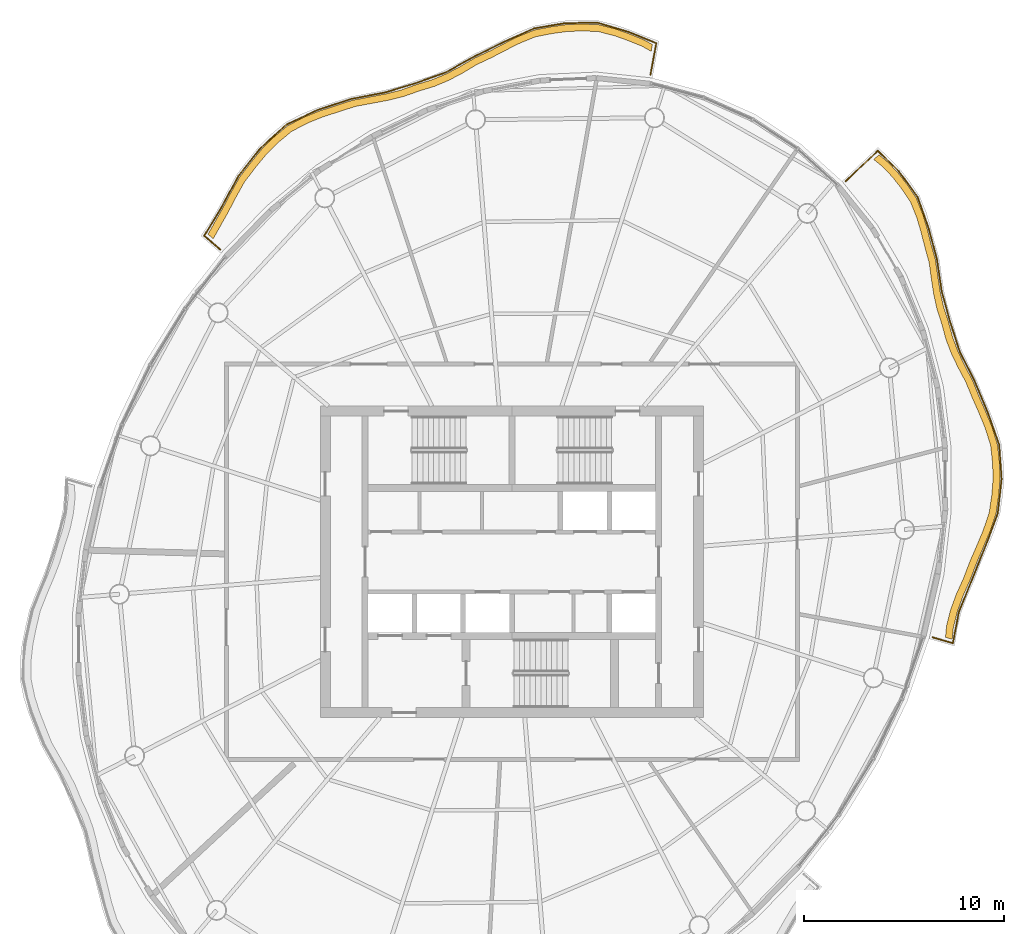
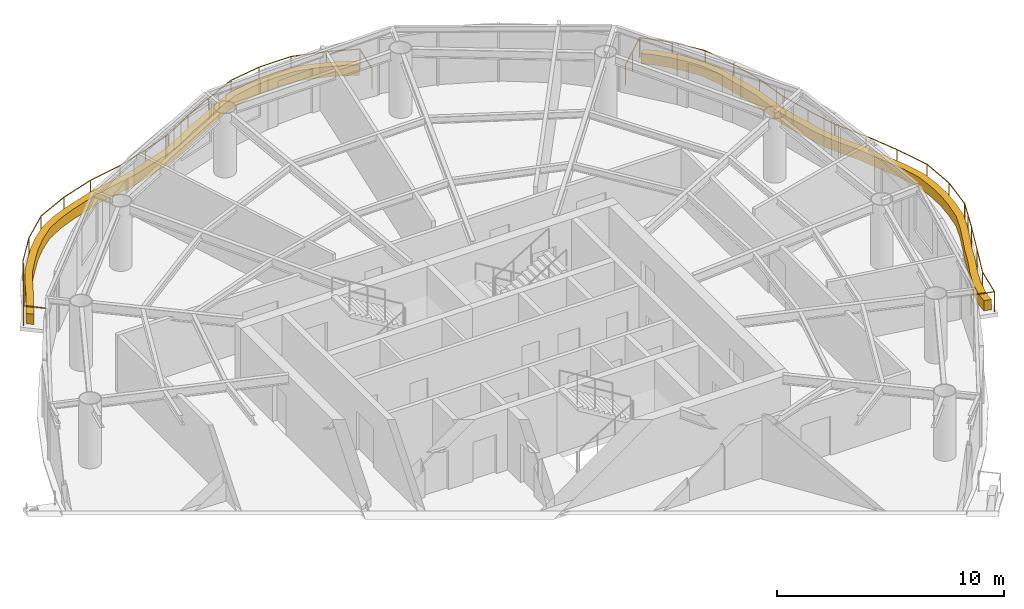
# One storey, part 13 of 13: 2 coverings, 2 railings.
"""IFC4 building model written with IfcOpenShell, lengths in metres."""

from ifc_helpers import new_model, si_unit, direction, frame, origin, origin_2d, place, context, subcontext, project, spatial, polyline, circle, outline, extrude, material, type_object, element, save


model = new_model("IFC4")

# Units and contexts
model_context = context("Model", 3, precision=1e-05, world=origin(), true_north=direction((0.0, 1.0)))
body_context = subcontext(model_context, "Body", "Model", "MODEL_VIEW")
ifc_project = project(units=[si_unit("LENGTHUNIT", "METRE"), si_unit("AREAUNIT", "SQUARE_METRE"), si_unit("VOLUMEUNIT", "CUBIC_METRE"), si_unit("PLANEANGLEUNIT", "RADIAN"), si_unit("MASSUNIT", "GRAM", prefix="KILO")], contexts=[model_context])

# Site, building, storey
site_placement = place(None, origin())
site = spatial("IfcSite", under=ifc_project, at=site_placement, CompositionType="ELEMENT")
building_placement = place(site_placement, origin())
building = spatial("IfcBuilding", under=site, at=building_placement, Name="Vermilion Reach Broadcast Tower", CompositionType="ELEMENT")
storey_placement = place(building_placement, frame((0.0, 0.0, 279.300048828125)))
storey = spatial("IfcBuildingStorey", under=building, at=storey_placement, Name="L69", CompositionType="ELEMENT", Elevation=279.300048828125)

# Coverings
ifc_material_1 = material(Name="Planting soil and greenery")
covering_type = type_object("IfcCoveringType", Name="Balcony PLANTER", PredefinedType="USERDEFINED", material=ifc_material_1)
placement = place(storey_placement, origin())
element("IfcCovering", 1, at=placement, inside=storey, type_object=covering_type, Name="PLANTER L69 group 1", ObjectType="PLANTER", PredefinedType="USERDEFINED", context=body_context, shape_type="SweptSolid", body=[
    extrude(outline(polyline([(1.0380859375, 25.91943359375), (0.532958984375, 26.186767578125), (-0.142822265625, 26.46044921875), (-0.822021484375, 26.703125), (-1.682373046875, 26.91845703125), (-2.577880859375, 26.944580078125), (-3.29296875, 26.912109375), (-4.005126953125, 26.812744140625), (-4.87451171875, 26.646728515625), (-5.719482421875, 26.30322265625), (-6.401123046875, 25.958251953125), (-7.0810546875, 25.603759765625), (-7.857666015625, 25.244140625), (-8.6064453125, 24.8046875), (-9.281494140625, 24.447998046875), (-9.978271484375, 24.156494140625), (-10.763916015625, 23.91455078125), (-11.5625, 23.633056640625), (-12.327880859375, 23.44140625), (-13.114013671875, 23.29296875), (-14.00830078125, 23.1201171875), (-14.89208984375, 22.832275390625), (-15.669189453125, 22.578125), (-16.417236328125, 22.278564453125), (-17.246826171875, 21.841796875), (-17.9794921875, 21.237060546875), (-18.54833984375, 20.65771484375), (-19.0703125, 20.021484375), (-19.64404296875, 19.2724609375), (-20.11572265625, 18.431640625), (-20.51123046875, 17.6728515625), (-20.930908203125, 16.93701171875), (-21.22802734375, 16.414306640625), (-20.963623046875, 16.184814453125), (-20.679443359375, 16.693359375), (-20.260009765625, 17.42919921875), (-19.8642578125, 18.18798828125), (-19.406982421875, 19.01513671875), (-18.847900390625, 19.751220703125), (-18.325927734375, 20.387451171875), (-17.757080078125, 20.966796875), (-17.04052734375, 21.55908203125), (-16.22802734375, 21.984375), (-15.47998046875, 22.28369140625), (-14.70263671875, 22.537841796875), (-13.83740234375, 22.814697265625), (-12.962158203125, 22.977783203125), (-12.17578125, 23.126220703125), (-11.410400390625, 23.31787109375), (-10.632568359375, 23.590087890625), (-9.867919921875, 23.824462890625), (-9.171142578125, 24.115966796875), (-8.495849609375, 24.472412109375), (-7.77001953125, 24.9052734375), (-7.0166015625, 25.259765625), (-6.336669921875, 25.6142578125), (-5.65478515625, 25.959228515625), (-4.834716796875, 26.299072265625), (-3.989990234375, 26.462890625), (-3.27783203125, 26.562255859375), (-2.5625, 26.594970703125), (-1.693359375, 26.568603515625), (-0.85888671875, 26.35498046875), (-0.1796875, 26.1123046875), (0.49609375, 25.8388671875), (0.974365234375, 25.575439453125), (1.0380859375, 25.91943359375)])), origin(), (0.0, 0.0, 1.0), 0.550048828125),
])
element("IfcCovering", 2, at=placement, inside=storey, type_object=covering_type, Name="PLANTER L69 group 4", ObjectType="PLANTER", PredefinedType="USERDEFINED", context=body_context, shape_type="SweptSolid", body=[
    extrude(outline(polyline([(16.055419921875, -3.878662109375), (16.113525390625, -3.29443359375), (16.3115234375, -2.498046875), (16.59326171875, -1.721435546875), (16.964599609375, -0.887451171875), (17.284912109375, -0.035400390625), (17.61962890625, 0.73876953125), (17.947509765625, 1.513671875), (18.254638671875, 2.42333984375), (18.389892578125, 3.34619140625), (18.451171875, 4.137451171875), (18.43017578125, 4.9287109375), (18.3291015625, 5.862060546875), (18.053466796875, 6.749755859375), (17.74951171875, 7.490478515625), (17.42236328125, 8.22802734375), (17.086669921875, 9.0615234375), (16.683349609375, 9.83447265625), (16.3515625, 10.526611328125), (16.081787109375, 11.234619140625), (15.86572265625, 12.030517578125), (15.6171875, 12.798828125), (15.455810546875, 13.525634765625), (15.34228515625, 14.271728515625), (15.21630859375, 15.138671875), (14.982666015625, 15.96630859375), (14.7998046875, 16.68896484375), (14.591552734375, 17.39697265625), (14.25390625, 18.233642578125), (13.75732421875, 18.960693359375), (13.322509765625, 19.510498046875), (12.83740234375, 20.019775390625), (12.384765625, 20.395751953125), (12.13037109375, 20.1552734375), (12.565185546875, 19.7998046875), (13.05029296875, 19.29052734375), (13.485107421875, 18.74072265625), (13.966064453125, 18.034423828125), (14.289794921875, 17.2197265625), (14.498046875, 16.511962890625), (14.6806640625, 15.7890625), (14.902587890625, 14.9833984375), (15.018310546875, 14.139404296875), (15.132080078125, 13.39306640625), (15.293212890625, 12.666259765625), (15.533447265625, 11.920166015625), (15.742919921875, 11.14697265625), (16.0126953125, 10.43896484375), (16.344482421875, 9.746826171875), (16.74267578125, 8.995849609375), (17.074951171875, 8.1845703125), (17.402099609375, 7.44677734375), (17.706298828125, 6.706298828125), (17.97998046875, 5.83984375), (18.080078125, 4.927734375), (18.10107421875, 4.13671875), (18.0400390625, 3.345458984375), (17.9052734375, 2.44287109375), (17.599853515625, 1.5537109375), (17.27197265625, 0.778564453125), (16.937255859375, 0.00439453125), (16.61962890625, -0.828125), (16.25244140625, -1.642578125), (15.970458984375, -2.41943359375), (15.7724609375, -3.215576171875), (15.71923828125, -3.78125), (16.055419921875, -3.878662109375)])), origin(), (0.0, 0.0, 1.0), 0.550048828125),
])

# Railings
ifc_material_2 = material(Name="Stainless steel 316 balustrade", Category="steel")
railing_type = type_object("IfcRailingType", Name="Balcony guard 1100", PredefinedType="BALUSTRADE", material=ifc_material_2)
railing_1_placement = place(storey_placement, frame((0.939208984375, 24.39990234375, 0.0)))
element("IfcRailing", 3, at=railing_1_placement, inside=storey, type_object=railing_type, Name="Balcony guard L69 group 1", PredefinedType="BALUSTRADE", context=body_context, shape_type="SweptSolid", body=[
    extrude(circle(Radius=0.02490234375, at=origin_2d()), frame((0.0, 0.0, 1.0751953125), z_axis=(0.182094703112, 0.983280997019, 0.0), x_axis=(-0.983280997019, 0.182094703112, 0.0)), (0.0, 0.0, 1.0), 1.606201171875),
    extrude(circle(Radius=0.02490234375, at=origin_2d()), frame((0.29248046875, 1.579345703125, 1.0751953125), z_axis=(-0.925132883057, 0.379643449419, 0.0), x_axis=(-0.379643449419, -0.925132883057, 0.0)), (0.0, 0.0, 1.0), 1.4765625),
    extrude(circle(Radius=0.02490234375, at=origin_2d()), frame((-1.073486328125, 2.139892578125, 1.0751953125), z_axis=(-0.958668165618, 0.284526533438, 0.0), x_axis=(-0.284526533438, -0.958668165618, 0.0)), (0.0, 0.0, 1.0), 1.6123046875),
    extrude(circle(Radius=0.02490234375, at=origin_2d()), frame((-2.619140625, 2.5986328125, 1.0751953125), z_axis=(-0.999991685331, -0.00407789994, 0.0), x_axis=(0.00407789994, -0.999991685331, 0.0)), (0.0, 0.0, 1.0), 1.616455078125),
    extrude(circle(Radius=0.02490234375, at=origin_2d()), frame((-4.235595703125, 2.592041015625, 1.0751953125), z_axis=(-0.986262421876, -0.165186062354, 0.0), x_axis=(0.165186062354, -0.986262421876, 0.0)), (0.0, 0.0, 1.0), 1.609619140625),
    extrude(circle(Radius=0.02490234375, at=origin_2d()), frame((-5.822998046875, 2.326171875, 1.0751953125), z_axis=(-0.911986748717, -0.410219660871, 0.0), x_axis=(0.410219660871, -0.911986748717, 0.0)), (0.0, 0.0, 1.0), 1.68017578125),
    extrude(circle(Radius=0.02490234375, at=origin_2d()), frame((-7.355224609375, 1.636962890625, 1.0751953125), z_axis=(-0.898205379392, -0.439576041694, 0.0), x_axis=(0.439576041694, -0.898205379392, 0.0)), (0.0, 0.0, 1.0), 1.62744140625),
    extrude(circle(Radius=0.02490234375, at=origin_2d()), frame((-8.81689453125, 0.921630859375, 1.0751953125), z_axis=(-0.873184413389, -0.487389967289, 0.0), x_axis=(0.487389967289, -0.873184413389, 0.0)), (0.0, 0.0, 1.0), 1.636474609375),
    extrude(circle(Radius=0.02490234375, at=origin_2d()), frame((-10.245849609375, 0.1240234375, 1.0751953125), z_axis=(-0.940942530809, -0.338566321, 0.0), x_axis=(0.338566321, -0.940942530809, 0.0)), (0.0, 0.0, 1.0), 1.58056640625),
    extrude(circle(Radius=0.02490234375, at=origin_2d()), frame((-11.733154296875, -0.4111328125, 1.0751953125), z_axis=(-0.957023151666, -0.290011529384, 0.0), x_axis=(0.290011529384, -0.957023151666, 0.0)), (0.0, 0.0, 1.0), 1.63916015625),
    extrude(circle(Radius=0.02490234375, at=origin_2d()), frame((-13.3017578125, -0.886474609375, 1.0751953125), z_axis=(-0.982062230733, -0.188557086759, 0.0), x_axis=(0.188557086759, -0.982062230733, 0.0)), (0.0, 0.0, 1.0), 1.715576171875),
    extrude(circle(Radius=0.02490234375, at=origin_2d()), frame((-14.986572265625, -1.2099609375, 1.0751953125), z_axis=(-0.950438317141, -0.310913179698, 0.0), x_axis=(0.310913179698, -0.950438317141, 0.0)), (0.0, 0.0, 1.0), 1.751953125),
    extrude(circle(Radius=0.02490234375, at=origin_2d()), frame((-16.651611328125, -1.754638671875, 1.0751953125), z_axis=(-0.906025860263, -0.42322232991, 0.0), x_axis=(0.42322232991, -0.906025860263, 0.0)), (0.0, 0.0, 1.0), 1.74560546875),
    extrude(circle(Radius=0.02490234375, at=origin_2d()), frame((-18.233154296875, -2.493408203125, 1.0751953125), z_axis=(-0.739871184055, -0.672748564476, 0.0), x_axis=(0.672748564476, -0.739871184055, 0.0)), (0.0, 0.0, 1.0), 1.76416015625),
    extrude(circle(Radius=0.02490234375, at=origin_2d()), frame((-19.538330078125, -3.68017578125, 1.0751953125), z_axis=(-0.620685287586, -0.784059802422, 0.0), x_axis=(0.784059802422, -0.620685287586, 0.0)), (0.0, 0.0, 1.0), 1.770751953125),
    extrude(circle(Radius=0.02490234375, at=origin_2d()), frame((-20.637451171875, -5.068603515625, 1.0751953125), z_axis=(-0.477313385833, -0.878733140211, 0.0), x_axis=(0.878733140211, -0.477313385833, 0.0)), (0.0, 0.0, 1.0), 1.823974609375),
    extrude(circle(Radius=0.02490234375, at=origin_2d()), frame((-21.508056640625, -6.67138671875, 1.0751953125), z_axis=(-0.51903293628, -0.854754240151, 0.0), x_axis=(0.854754240151, -0.51903293628, 0.0)), (0.0, 0.0, 1.0), 1.62744140625),
    extrude(circle(Radius=0.02490234375, at=origin_2d()), frame((-22.352783203125, -8.0625, 1.0751953125), z_axis=(0.755072188956, -0.655641662393, 0.0), x_axis=(0.655641662393, 0.755072188956, 0.0)), (0.0, 0.0, 1.0), 1.058349609375),
    extrude(circle(Radius=0.02490234375, at=origin_2d()), origin(), (0.0, 0.0, 1.0), 1.050048828125),
    extrude(circle(Radius=0.02490234375, at=origin_2d()), frame((0.29248046875, 1.579345703125, 0.0)), (0.0, 0.0, 1.0), 1.050048828125),
    extrude(circle(Radius=0.02490234375, at=origin_2d()), frame((-1.073486328125, 2.139892578125, 0.0)), (0.0, 0.0, 1.0), 1.050048828125),
    extrude(circle(Radius=0.02490234375, at=origin_2d()), frame((-2.619140625, 2.5986328125, 0.0)), (0.0, 0.0, 1.0), 1.050048828125),
    extrude(circle(Radius=0.02490234375, at=origin_2d()), frame((-4.235595703125, 2.592041015625, 0.0)), (0.0, 0.0, 1.0), 1.050048828125),
    extrude(circle(Radius=0.02490234375, at=origin_2d()), frame((-5.822998046875, 2.326171875, 0.0)), (0.0, 0.0, 1.0), 1.050048828125),
    extrude(circle(Radius=0.02490234375, at=origin_2d()), frame((-7.355224609375, 1.636962890625, 0.0)), (0.0, 0.0, 1.0), 1.050048828125),
    extrude(circle(Radius=0.02490234375, at=origin_2d()), frame((-8.81689453125, 0.921630859375, 0.0)), (0.0, 0.0, 1.0), 1.050048828125),
    extrude(circle(Radius=0.02490234375, at=origin_2d()), frame((-10.245849609375, 0.1240234375, 0.0)), (0.0, 0.0, 1.0), 1.050048828125),
    extrude(circle(Radius=0.02490234375, at=origin_2d()), frame((-11.733154296875, -0.4111328125, 0.0)), (0.0, 0.0, 1.0), 1.050048828125),
    extrude(circle(Radius=0.02490234375, at=origin_2d()), frame((-13.3017578125, -0.886474609375, 0.0)), (0.0, 0.0, 1.0), 1.050048828125),
    extrude(circle(Radius=0.02490234375, at=origin_2d()), frame((-14.986572265625, -1.2099609375, 0.0)), (0.0, 0.0, 1.0), 1.050048828125),
    extrude(circle(Radius=0.02490234375, at=origin_2d()), frame((-16.651611328125, -1.754638671875, 0.0)), (0.0, 0.0, 1.0), 1.050048828125),
    extrude(circle(Radius=0.02490234375, at=origin_2d()), frame((-18.233154296875, -2.493408203125, 0.0)), (0.0, 0.0, 1.0), 1.050048828125),
    extrude(circle(Radius=0.02490234375, at=origin_2d()), frame((-19.538330078125, -3.68017578125, 0.0)), (0.0, 0.0, 1.0), 1.050048828125),
    extrude(circle(Radius=0.02490234375, at=origin_2d()), frame((-20.637451171875, -5.068603515625, 0.0)), (0.0, 0.0, 1.0), 1.050048828125),
    extrude(circle(Radius=0.02490234375, at=origin_2d()), frame((-21.07275390625, -5.8701171875, 0.0)), (0.0, 0.0, 1.0), 1.050048828125),
    extrude(circle(Radius=0.02490234375, at=origin_2d()), frame((-21.508056640625, -6.67138671875, 0.0)), (0.0, 0.0, 1.0), 1.050048828125),
    extrude(circle(Radius=0.02490234375, at=origin_2d()), frame((-22.352783203125, -8.0625, 0.0)), (0.0, 0.0, 1.0), 1.050048828125),
    extrude(circle(Radius=0.02490234375, at=origin_2d()), frame((-21.5537109375, -8.75634765625, 0.0)), (0.0, 0.0, 1.0), 1.050048828125),
])
railing_2_placement = place(storey_placement, frame((15.071533203125, -3.78076171875, 0.0)))
element("IfcRailing", 4, at=railing_2_placement, inside=storey, type_object=railing_type, Name="Balcony guard L69 group 4", PredefinedType="BALUSTRADE", context=body_context, shape_type="SweptSolid", body=[
    extrude(circle(Radius=0.02490234375, at=origin_2d()), frame((0.0, 0.0, 1.0751953125), z_axis=(0.960528706291, -0.278180884302, 0.0), x_axis=(0.278180884302, 0.960528706291, 0.0)), (0.0, 0.0, 1.0), 1.06201171875),
    extrude(circle(Radius=0.02490234375, at=origin_2d()), frame((1.02001953125, -0.29541015625, 1.0751953125), z_axis=(0.187535908039, 0.982257747842, 0.0), x_axis=(-0.982257747842, 0.187535908039, 0.0)), (0.0, 0.0, 1.0), 1.588134765625),
    extrude(circle(Radius=0.02490234375, at=origin_2d()), frame((1.31787109375, 1.2646484375, 1.0751953125), z_axis=(0.375252956484, 0.926922444787, 0.0), x_axis=(-0.926922444787, 0.375252956484, 0.0)), (0.0, 0.0, 1.0), 1.742431640625),
    extrude(circle(Radius=0.02490234375, at=origin_2d()), frame((1.9716796875, 2.879638671875, 1.0751953125), z_axis=(0.373234009058, 0.927737233532, 0.0), x_axis=(-0.927737233532, 0.373234009058, 0.0)), (0.0, 0.0, 1.0), 1.757568359375),
    extrude(circle(Radius=0.02490234375, at=origin_2d()), frame((2.627685546875, 4.51025390625, 1.0751953125), z_axis=(0.351953408616, 0.936017520223, 0.0), x_axis=(-0.936017520223, 0.351953408616, 0.0)), (0.0, 0.0, 1.0), 1.804931640625),
    extrude(circle(Radius=0.02490234375, at=origin_2d()), frame((3.262939453125, 6.19970703125, 1.0751953125), z_axis=(0.113745594718, 0.993509909202, 0.0), x_axis=(-0.993509909202, 0.113745594718, 0.0)), (0.0, 0.0, 1.0), 1.72998046875),
    extrude(circle(Radius=0.02490234375, at=origin_2d()), frame((3.459716796875, 7.91845703125, 1.0751953125), z_axis=(-0.07054654894, 0.997508488401, 0.0), x_axis=(-0.997508488401, -0.07054654894, 0.0)), (0.0, 0.0, 1.0), 1.73388671875),
    extrude(circle(Radius=0.02490234375, at=origin_2d()), frame((3.33740234375, 9.64794921875, 1.0751953125), z_axis=(-0.334720612796, 0.942317415402, 0.0), x_axis=(-0.942317415402, -0.334720612796, 0.0)), (0.0, 0.0, 1.0), 1.73291015625),
    extrude(circle(Radius=0.02490234375, at=origin_2d()), frame((2.75732421875, 11.281005859375, 1.0751953125), z_axis=(-0.388088904675, 0.921621940965, 0.0), x_axis=(-0.921621940965, -0.388088904675, 0.0)), (0.0, 0.0, 1.0), 1.71044921875),
    extrude(circle(Radius=0.02490234375, at=origin_2d()), frame((2.093505859375, 12.857421875, 1.0751953125), z_axis=(-0.447748140255, 0.894159718897, 0.0), x_axis=(-0.894159718897, -0.447748140255, 0.0)), (0.0, 0.0, 1.0), 1.64404296875),
    extrude(circle(Radius=0.02490234375, at=origin_2d()), frame((1.357421875, 14.327392578125, 1.0751953125), z_axis=(-0.307299652393, 0.951612801322, 0.0), x_axis=(-0.951612801322, -0.307299652393, 0.0)), (0.0, 0.0, 1.0), 1.585693359375),
    extrude(circle(Radius=0.02490234375, at=origin_2d()), frame((0.8701171875, 15.83642578125, 1.0751953125), z_axis=(-0.264591073068, 0.964360702255, 0.0), x_axis=(-0.964360702255, -0.264591073068, 0.0)), (0.0, 0.0, 1.0), 1.5556640625),
    extrude(circle(Radius=0.02490234375, at=origin_2d()), frame((0.45849609375, 17.336669921875, 1.0751953125), z_axis=(-0.147873451085, 0.989006290407, 0.0), x_axis=(-0.989006290407, -0.147873451085, 0.0)), (0.0, 0.0, 1.0), 1.63623046875),
    extrude(circle(Radius=0.02490234375, at=origin_2d()), frame((0.216552734375, 18.954833984375, 1.0751953125), z_axis=(-0.260218041743, 0.965549879991, 0.0), x_axis=(-0.965549879991, -0.260218041743, 0.0)), (0.0, 0.0, 1.0), 1.61083984375),
    extrude(circle(Radius=0.02490234375, at=origin_2d()), frame((-0.20263671875, 20.51025390625, 1.0751953125), z_axis=(-0.333992839175, 0.942575611492, 0.0), x_axis=(-0.942575611492, -0.333992839175, 0.0)), (0.0, 0.0, 1.0), 1.64404296875),
    extrude(circle(Radius=0.02490234375, at=origin_2d()), frame((-0.751708984375, 22.059814453125, 1.0751953125), z_axis=(-0.589360512571, 0.807870154308, 0.0), x_axis=(-0.807870154308, -0.589360512571, 0.0)), (0.0, 0.0, 1.0), 1.586669921875),
    extrude(circle(Radius=0.02490234375, at=origin_2d()), frame((-1.686767578125, 23.341552734375, 1.0751953125), z_axis=(-0.715584060456, 0.698526629716, 0.0), x_axis=(-0.698526629716, -0.715584060456, 0.0)), (0.0, 0.0, 1.0), 1.47412109375),
    extrude(circle(Radius=0.02490234375, at=origin_2d()), frame((-2.74169921875, 24.371337890625, 1.0751953125), z_axis=(-0.727043803567, -0.686591077494, 0.0), x_axis=(0.686591077494, -0.727043803567, 0.0)), (0.0, 0.0, 1.0), 2.208984375),
    extrude(circle(Radius=0.02490234375, at=origin_2d()), origin(), (0.0, 0.0, 1.0), 1.050048828125),
    extrude(circle(Radius=0.02490234375, at=origin_2d()), frame((1.02001953125, -0.29541015625, 0.0)), (0.0, 0.0, 1.0), 1.050048828125),
    extrude(circle(Radius=0.02490234375, at=origin_2d()), frame((1.31787109375, 1.2646484375, 0.0)), (0.0, 0.0, 1.0), 1.050048828125),
    extrude(circle(Radius=0.02490234375, at=origin_2d()), frame((1.9716796875, 2.879638671875, 0.0)), (0.0, 0.0, 1.0), 1.050048828125),
    extrude(circle(Radius=0.02490234375, at=origin_2d()), frame((2.627685546875, 4.51025390625, 0.0)), (0.0, 0.0, 1.0), 1.050048828125),
    extrude(circle(Radius=0.02490234375, at=origin_2d()), frame((2.9453125, 5.35498046875, 0.0)), (0.0, 0.0, 1.0), 1.050048828125),
    extrude(circle(Radius=0.02490234375, at=origin_2d()), frame((3.262939453125, 6.19970703125, 0.0)), (0.0, 0.0, 1.0), 1.050048828125),
    extrude(circle(Radius=0.02490234375, at=origin_2d()), frame((3.459716796875, 7.91845703125, 0.0)), (0.0, 0.0, 1.0), 1.050048828125),
    extrude(circle(Radius=0.02490234375, at=origin_2d()), frame((3.33740234375, 9.64794921875, 0.0)), (0.0, 0.0, 1.0), 1.050048828125),
    extrude(circle(Radius=0.02490234375, at=origin_2d()), frame((2.75732421875, 11.281005859375, 0.0)), (0.0, 0.0, 1.0), 1.050048828125),
    extrude(circle(Radius=0.02490234375, at=origin_2d()), frame((2.093505859375, 12.857421875, 0.0)), (0.0, 0.0, 1.0), 1.050048828125),
    extrude(circle(Radius=0.02490234375, at=origin_2d()), frame((1.357421875, 14.327392578125, 0.0)), (0.0, 0.0, 1.0), 1.050048828125),
    extrude(circle(Radius=0.02490234375, at=origin_2d()), frame((0.8701171875, 15.83642578125, 0.0)), (0.0, 0.0, 1.0), 1.050048828125),
    extrude(circle(Radius=0.02490234375, at=origin_2d()), frame((0.45849609375, 17.336669921875, 0.0)), (0.0, 0.0, 1.0), 1.050048828125),
    extrude(circle(Radius=0.02490234375, at=origin_2d()), frame((0.216552734375, 18.954833984375, 0.0)), (0.0, 0.0, 1.0), 1.050048828125),
    extrude(circle(Radius=0.02490234375, at=origin_2d()), frame((-0.20263671875, 20.51025390625, 0.0)), (0.0, 0.0, 1.0), 1.050048828125),
    extrude(circle(Radius=0.02490234375, at=origin_2d()), frame((-0.751708984375, 22.059814453125, 0.0)), (0.0, 0.0, 1.0), 1.050048828125),
    extrude(circle(Radius=0.02490234375, at=origin_2d()), frame((-1.686767578125, 23.341552734375, 0.0)), (0.0, 0.0, 1.0), 1.050048828125),
    extrude(circle(Radius=0.02490234375, at=origin_2d()), frame((-2.74169921875, 24.371337890625, 0.0)), (0.0, 0.0, 1.0), 1.050048828125),
    extrude(circle(Radius=0.02490234375, at=origin_2d()), frame((-3.544677734375, 23.613037109375, 0.0)), (0.0, 0.0, 1.0), 1.050048828125),
    extrude(circle(Radius=0.02490234375, at=origin_2d()), frame((-4.34765625, 22.854736328125, 0.0)), (0.0, 0.0, 1.0), 1.050048828125),
])

save(model, "model.ifc")
